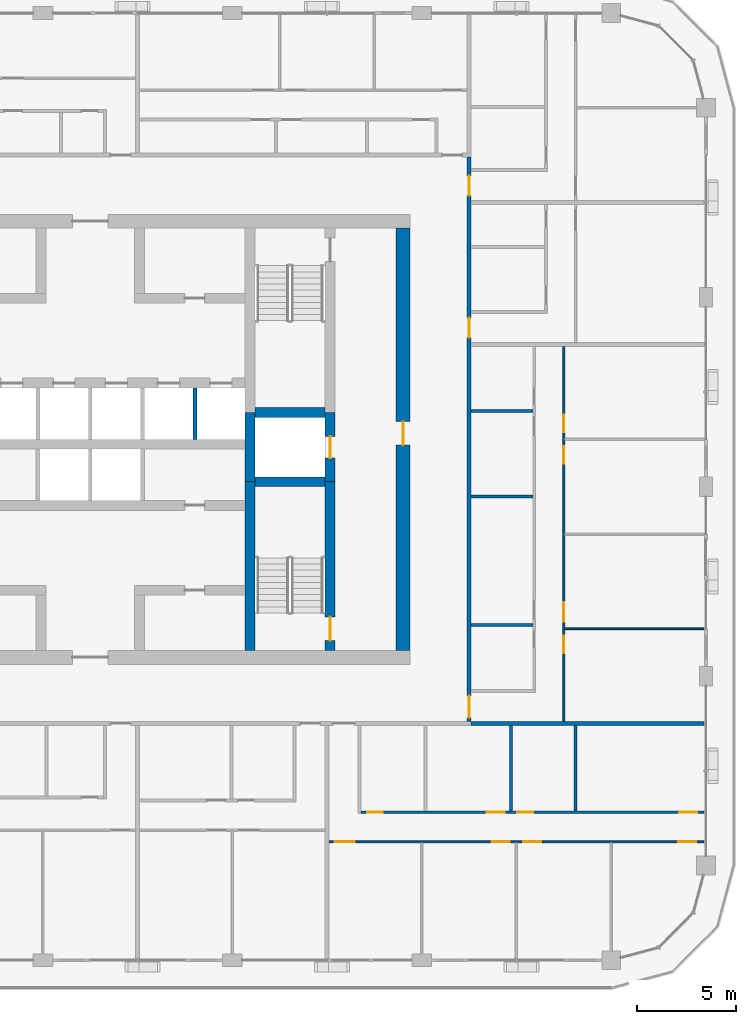
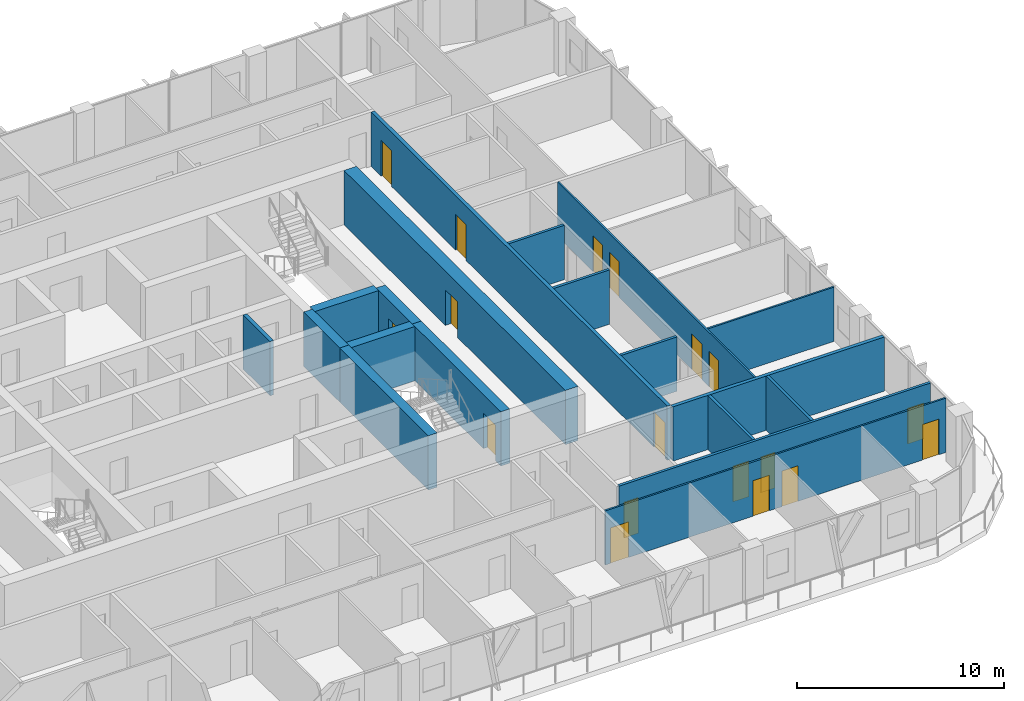
# One storey, part 12 of 21: 19 walls, 18 doors, 18 openings.
"""IFC4 building model written with IfcOpenShell, lengths in metres."""

from ifc_helpers import new_model, si_unit, direction, frame, frame_2d, origin, place, context, subcontext, project, spatial, rectangle, extrude, material, layer, layer_set, type_object, element, fill, save


model = new_model("IFC4")

# Units and contexts
model_context = context("Model", 3, precision=1e-05, world=origin(), true_north=direction((0.0, 1.0)))
body_context = subcontext(model_context, "Body", "Model", "MODEL_VIEW")
ifc_project = project(units=[si_unit("LENGTHUNIT", "METRE"), si_unit("AREAUNIT", "SQUARE_METRE"), si_unit("VOLUMEUNIT", "CUBIC_METRE"), si_unit("PLANEANGLEUNIT", "RADIAN"), si_unit("MASSUNIT", "GRAM", prefix="KILO")], contexts=[model_context])

# Site, building, storey
site_placement = place(None, origin())
site = spatial("IfcSite", under=ifc_project, at=site_placement, CompositionType="ELEMENT")
building_placement = place(site_placement, origin())
building = spatial("IfcBuilding", under=site, at=building_placement, Name="Madar Terraces", CompositionType="ELEMENT")
storey_placement = place(building_placement, frame((0.0, 0.0, 185.89990234375)))
storey = spatial("IfcBuildingStorey", under=building, at=storey_placement, Name="L48", CompositionType="ELEMENT", Elevation=185.89990234375)

# Walls
ifc_material_1 = material(Name="Concrete C60/75", Category="concrete")
ifc_layer_1 = layer(ifc_material_1, 0.5)
ifc_layer_set_1 = layer_set([ifc_layer_1], Name="Concrete C60/75 (CIW4 RC wall 500)")
wall_type_1 = type_object("IfcWallType", Name="CIW4 RC wall 500", PredefinedType="SHEAR", material=ifc_layer_set_1)
wall_1_placement = place(storey_placement, frame((39.300048828125, 15.699951171875, 0.0), z_axis=(0.0, 0.0, 1.0), x_axis=(0.0, 1.0, 0.0)))
element("IfcWall", 1, at=wall_1_placement, inside=storey, type_object=wall_type_1, Name="CORE SHAFT WALL", PredefinedType="SHEAR", context=body_context, shape_type="SweptSolid", body=[
    extrude(rectangle(XDim=8.550048828125, YDim=0.5, at=frame_2d((4.27490234375, 0.0))), origin(), (0.0, 0.0, 1.0), 3.2001953125),
])
wall_2_placement = place(storey_placement, frame((39.300048828125, 24.25, 0.0), z_axis=(0.0, 0.0, 1.0), x_axis=(0.0, 1.0, 0.0)))
element("IfcWall", 2, at=wall_2_placement, inside=storey, type_object=wall_type_1, Name="CORE SHAFT WALL", PredefinedType="SHEAR", context=body_context, shape_type="SweptSolid", body=[
    extrude(rectangle(XDim=3.5, YDim=0.5, at=frame_2d((1.75, 0.0))), origin(), (0.0, 0.0, 1.0), 3.2001953125),
])

# Wall, opening, door
wall_3_placement = place(storey_placement, frame((43.35009765625, 15.699951171875, 0.0), z_axis=(0.0, 0.0, 1.0), x_axis=(0.0, 1.0, 0.0)))
wall_3 = element("IfcWall", 3, at=wall_3_placement, inside=storey, type_object=wall_type_1, Name="CORE SHAFT WALL", PredefinedType="SHEAR", context=body_context, shape_type="SweptSolid", body=[
    extrude(rectangle(XDim=8.550048828125, YDim=0.5, at=frame_2d((4.27490234375, 0.0))), origin(), (0.0, 0.0, 1.0), 3.2001953125),
])
opening_1_placement = place(wall_3_placement, frame((0.5, 0.0, 0.0)))
opening_1 = element("IfcOpeningElement", 4, at=opening_1_placement, cuts=wall_3, Name="Opening SD1", PredefinedType="OPENING", context=body_context, shape_type="SweptSolid", body=[
    extrude(rectangle(XDim=1.199951171875, YDim=2.10009765625, at=frame_2d((0.60009765625, 1.050048828125))), frame((0.0, 0.260009765625, 0.0), z_axis=(0.0, -1.0, 0.0), x_axis=(1.0, 0.0, 0.0)), (0.0, 0.0, 1.0), 0.52001953125),
])
ifc_material_2 = material(Name="Steel door leaf", Category="steel")
door_type_1 = type_object("IfcDoorType", Name="Stair door 1200 x 2100", OperationType="NOTDEFINED", PredefinedType="DOOR", material=ifc_material_2)
door_1_placement = place(opening_1_placement, origin())
door_1 = element("IfcDoor", 5, at=door_1_placement, inside=storey, type_object=door_type_1, Name="STAIR DOOR", OperationType="SINGLE_SWING_LEFT", OverallHeight=2.10009765625, OverallWidth=1.199951171875, PredefinedType="DOOR", context=body_context, shape_type="SweptSolid", body=[
    extrude(rectangle(XDim=1.199951171875, YDim=2.10009765625, at=frame_2d((0.60009765625, 1.050048828125))), frame((0.0, 0.02490234375, 0.0), z_axis=(0.0, -1.0, 0.0), x_axis=(1.0, 0.0, 0.0)), (0.0, 0.0, 1.0), 0.050048828125),
])
fill(opening_1, door_1)

wall_4_placement = place(storey_placement, frame((43.35009765625, 24.25, 0.0), z_axis=(0.0, 0.0, 1.0), x_axis=(0.0, 1.0, 0.0)))
wall_4 = element("IfcWall", 6, at=wall_4_placement, inside=storey, type_object=wall_type_1, Name="CORE SHAFT WALL", PredefinedType="SHEAR", context=body_context, shape_type="SweptSolid", body=[
    extrude(rectangle(XDim=3.5, YDim=0.5, at=frame_2d((1.75, 0.0))), origin(), (0.0, 0.0, 1.0), 3.2001953125),
])
opening_2_placement = place(wall_4_placement, frame((1.199951171875, 0.0, 0.0)))
opening_2 = element("IfcOpeningElement", 7, at=opening_2_placement, cuts=wall_4, Name="Opening LD", PredefinedType="OPENING", context=body_context, shape_type="SweptSolid", body=[
    extrude(rectangle(XDim=1.10009765625, YDim=2.10009765625, at=frame_2d((0.550048828125, 1.050048828125))), frame((0.0, 0.260009765625, 0.0), z_axis=(0.0, -1.0, 0.0), x_axis=(1.0, 0.0, 0.0)), (0.0, 0.0, 1.0), 0.52001953125),
])
ifc_material_3 = material(Name="Stainless steel panel", Category="steel")
door_type_2 = type_object("IfcDoorType", Name="Lift landing door 1100 x 2100", OperationType="DOUBLE_DOOR_SLIDING", PredefinedType="DOOR", material=ifc_material_3)
door_2_placement = place(opening_2_placement, origin())
door_2 = element("IfcDoor", 8, at=door_2_placement, inside=storey, type_object=door_type_2, Name="LIFT LANDING DOOR", OperationType="DOUBLE_DOOR_SLIDING", OverallHeight=2.10009765625, OverallWidth=1.10009765625, PredefinedType="DOOR", context=body_context, shape_type="SweptSolid", body=[
    extrude(rectangle(XDim=1.10009765625, YDim=2.10009765625, at=frame_2d((0.550048828125, 1.050048828125))), frame((0.0, 0.02490234375, 0.0), z_axis=(0.0, -1.0, 0.0), x_axis=(1.0, 0.0, 0.0)), (0.0, 0.0, 1.0), 0.050048828125),
])
fill(opening_2, door_2)

# Walls
for number, where, z_axis, x_axis, name in (
    (9, (39.550048828125, 24.25, 0.0), (0.0, 0.0, 1.0), (1.0, 0.0, 0.0), "CORE SHAFT WALL"),
    (10, (39.550048828125, 27.75, 0.0), (0.0, 0.0, 1.0), (1.0, 0.0, 0.0), "CORE SHAFT WALL"),
):
    element("IfcWall", number, at=place(storey_placement, frame(where, z_axis=z_axis, x_axis=x_axis)), inside=storey, type_object=wall_type_1, Name=name, PredefinedType="SHEAR", context=body_context, shape_type="SweptSolid", body=[
        extrude(rectangle(XDim=3.550048828125, YDim=0.5, at=frame_2d((1.77490234375, 0.0))), origin(), (0.0, 0.0, 1.0), 3.2001953125),
    ])

# Wall, opening, door
ifc_material_4 = material(Name="Concrete C60/75", Category="concrete")
ifc_layer_2 = layer(ifc_material_4, 0.699951171875)
ifc_layer_set_2 = layer_set([ifc_layer_2], Name="Concrete C60/75 (CRW4 RC wall 700)")
wall_type_2 = type_object("IfcWallType", Name="CRW4 RC wall 700", PredefinedType="SHEAR", material=ifc_layer_set_2)
wall_5_placement = place(storey_placement, frame((47.050048828125, 15.699951171875, 0.0), z_axis=(0.0, 0.0, 1.0), x_axis=(0.0, 1.0, 0.0)))
wall_5 = element("IfcWall", 11, at=wall_5_placement, inside=storey, type_object=wall_type_2, Name="CORE OUTER WALL", PredefinedType="SHEAR", context=body_context, shape_type="SweptSolid", body=[
    extrude(rectangle(XDim=21.400146484375, YDim=0.699951171875, at=frame_2d((10.7001953125, 0.0))), origin(), (0.0, 0.0, 1.0), 3.2001953125),
])
opening_3_placement = place(wall_5_placement, frame((10.39990234375, 0.0, 0.0)))
opening_3 = element("IfcOpeningElement", 12, at=opening_3_placement, cuts=wall_5, Name="Opening SD1", PredefinedType="OPENING", context=body_context, shape_type="SweptSolid", body=[
    extrude(rectangle(XDim=1.199951171875, YDim=2.10009765625, at=frame_2d((0.60009765625, 1.050048828125))), frame((0.0, 0.35986328125, 0.0), z_axis=(0.0, -1.0, 0.0), x_axis=(1.0, 0.0, 0.0)), (0.0, 0.0, 1.0), 0.719970703125),
])
door_3_placement = place(opening_3_placement, origin())
door_3 = element("IfcDoor", 13, at=door_3_placement, inside=storey, type_object=door_type_1, Name="STAIR DOOR", OperationType="SINGLE_SWING_RIGHT", OverallHeight=2.10009765625, OverallWidth=1.199951171875, PredefinedType="DOOR", context=body_context, shape_type="SweptSolid", body=[
    extrude(rectangle(XDim=1.199951171875, YDim=2.10009765625, at=frame_2d((0.60009765625, 1.050048828125))), frame((0.0, 0.02490234375, 0.0), z_axis=(0.0, -1.0, 0.0), x_axis=(1.0, 0.0, 0.0)), (0.0, 0.0, 1.0), 0.050048828125),
])
fill(opening_3, door_3)

# Wall
ifc_material_5 = material(Name="Concrete C40/50", Category="concrete")
ifc_layer_3 = layer(ifc_material_5, 0.199951171875)
ifc_layer_set_3 = layer_set([ifc_layer_3], Name="Core shaft dividing wall 200 C40/50")
wall_type_3 = type_object("IfcWallType", Name="Core shaft dividing wall 200 C40/50", PredefinedType="SOLIDWALL", material=ifc_layer_set_3)
wall_6_placement = place(storey_placement, frame((36.5, 26.39990234375, 0.0), z_axis=(0.0, 0.0, 1.0), x_axis=(0.0, 1.0, 0.0)))
element("IfcWall", 14, at=wall_6_placement, inside=storey, type_object=wall_type_3, Name="SHAFT DIVIDING WALL", PredefinedType="SOLIDWALL", context=body_context, shape_type="SweptSolid", body=[
    extrude(rectangle(XDim=2.60009765625, YDim=0.199951171875, at=frame_2d((1.300048828125, 0.0))), origin(), (0.0, 0.0, 1.0), 3.2001953125),
])

# Wall, openings, doors
ifc_material_6 = material(Name="Gypsum board on steel studs", Category="steel")
ifc_layer_4 = layer(ifc_material_6, 0.10009765625)
ifc_layer_set_4 = layer_set([ifc_layer_4], Name="Flat partition 100")
wall_type_4 = type_object("IfcWallType", Name="Flat partition 100", PredefinedType="PARTITIONING", material=ifc_layer_set_4)
wall_7_placement = place(storey_placement, frame((62.300048828125, 6.0, 0.0), z_axis=(0.0, 0.0, 1.0), x_axis=(-1.0, 0.0, 0.0)))
wall_7 = element("IfcWall", 15, at=wall_7_placement, inside=storey, type_object=wall_type_4, Name="Flat partition 100", PredefinedType="PARTITIONING", context=body_context, shape_type="SweptSolid", body=[
    extrude(rectangle(XDim=19.0, YDim=0.10009765625, at=frame_2d((9.5, 0.0))), origin(), (0.0, 0.0, 1.0), 3.2001953125),
])
opening_4_placement = place(wall_7_placement, frame((17.699951171875, 0.0, 0.0)))
opening_4 = element("IfcOpeningElement", 16, at=opening_4_placement, cuts=wall_7, Name="Opening D3", PredefinedType="OPENING", context=body_context, shape_type="SweptSolid", body=[
    extrude(rectangle(XDim=1.0, YDim=2.10009765625, at=frame_2d((0.5, 1.050048828125))), frame((0.0, 0.06005859375, 0.0), z_axis=(0.0, -1.0, 0.0), x_axis=(1.0, 0.0, 0.0)), (0.0, 0.0, 1.0), 0.1201171875),
])
opening_5_placement = place(wall_7_placement, frame((9.85009765625, 0.0, 0.0)))
opening_5 = element("IfcOpeningElement", 17, at=opening_5_placement, cuts=wall_7, Name="Opening D2", PredefinedType="OPENING", context=body_context, shape_type="SweptSolid", body=[
    extrude(rectangle(XDim=0.89990234375, YDim=2.10009765625, at=frame_2d((0.449951171875, 1.050048828125))), frame((0.0, 0.06005859375, 0.0), z_axis=(0.0, -1.0, 0.0), x_axis=(1.0, 0.0, 0.0)), (0.0, 0.0, 1.0), 0.1201171875),
])
opening_6_placement = place(wall_7_placement, frame((8.25, 0.0, 0.0)))
opening_6 = element("IfcOpeningElement", 18, at=opening_6_placement, cuts=wall_7, Name="Opening D2", PredefinedType="OPENING", context=body_context, shape_type="SweptSolid", body=[
    extrude(rectangle(XDim=0.89990234375, YDim=2.10009765625, at=frame_2d((0.449951171875, 1.050048828125))), frame((0.0, 0.06005859375, 0.0), z_axis=(0.0, -1.0, 0.0), x_axis=(1.0, 0.0, 0.0)), (0.0, 0.0, 1.0), 0.1201171875),
])
opening_7_placement = place(wall_7_placement, frame((0.39990234375, 0.0, 0.0)))
opening_7 = element("IfcOpeningElement", 19, at=opening_7_placement, cuts=wall_7, Name="Opening D2", PredefinedType="OPENING", context=body_context, shape_type="SweptSolid", body=[
    extrude(rectangle(XDim=0.89990234375, YDim=2.10009765625, at=frame_2d((0.449951171875, 1.050048828125))), frame((0.0, 0.06005859375, 0.0), z_axis=(0.0, -1.0, 0.0), x_axis=(1.0, 0.0, 0.0)), (0.0, 0.0, 1.0), 0.1201171875),
])
ifc_material_7 = material(Name="Timber door leaf", Category="wood")
door_type_3 = type_object("IfcDoorType", Name="Flat living room door 1000", OperationType="NOTDEFINED", PredefinedType="DOOR", material=ifc_material_7)
door_4_placement = place(opening_4_placement, origin())
door_4 = element("IfcDoor", 20, at=door_4_placement, inside=storey, type_object=door_type_3, Name="Flat living room door 1000", OperationType="SINGLE_SWING_RIGHT", OverallHeight=2.10009765625, OverallWidth=1.0, PredefinedType="DOOR", context=body_context, shape_type="SweptSolid", body=[
    extrude(rectangle(XDim=1.0, YDim=2.10009765625, at=frame_2d((0.5, 1.050048828125))), frame((0.0, 0.02490234375, 0.0), z_axis=(0.0, -1.0, 0.0), x_axis=(1.0, 0.0, 0.0)), (0.0, 0.0, 1.0), 0.050048828125),
])
fill(opening_4, door_4)
ifc_material_8 = material(Name="Timber door leaf", Category="wood")
door_type_4 = type_object("IfcDoorType", Name="Flat room door 900", OperationType="NOTDEFINED", PredefinedType="DOOR", material=ifc_material_8)
door_5_placement = place(opening_5_placement, origin())
door_5 = element("IfcDoor", 21, at=door_5_placement, inside=storey, type_object=door_type_4, Name="Flat room door 900", OperationType="SINGLE_SWING_LEFT", OverallHeight=2.10009765625, OverallWidth=0.89990234375, PredefinedType="DOOR", context=body_context, shape_type="SweptSolid", body=[
    extrude(rectangle(XDim=0.89990234375, YDim=2.10009765625, at=frame_2d((0.449951171875, 1.050048828125))), frame((0.0, 0.02490234375, 0.0), z_axis=(0.0, -1.0, 0.0), x_axis=(1.0, 0.0, 0.0)), (0.0, 0.0, 1.0), 0.050048828125),
])
fill(opening_5, door_5)
door_6_placement = place(opening_6_placement, origin())
door_6 = element("IfcDoor", 22, at=door_6_placement, inside=storey, type_object=door_type_4, Name="Flat room door 900", OperationType="SINGLE_SWING_RIGHT", OverallHeight=2.10009765625, OverallWidth=0.89990234375, PredefinedType="DOOR", context=body_context, shape_type="SweptSolid", body=[
    extrude(rectangle(XDim=0.89990234375, YDim=2.10009765625, at=frame_2d((0.449951171875, 1.050048828125))), frame((0.0, 0.02490234375, 0.0), z_axis=(0.0, -1.0, 0.0), x_axis=(1.0, 0.0, 0.0)), (0.0, 0.0, 1.0), 0.050048828125),
])
fill(opening_6, door_6)
door_7_placement = place(opening_7_placement, origin())
door_7 = element("IfcDoor", 23, at=door_7_placement, inside=storey, type_object=door_type_4, Name="Flat room door 900", OperationType="SINGLE_SWING_LEFT", OverallHeight=2.10009765625, OverallWidth=0.89990234375, PredefinedType="DOOR", context=body_context, shape_type="SweptSolid", body=[
    extrude(rectangle(XDim=0.89990234375, YDim=2.10009765625, at=frame_2d((0.449951171875, 1.050048828125))), frame((0.0, 0.02490234375, 0.0), z_axis=(0.0, -1.0, 0.0), x_axis=(1.0, 0.0, 0.0)), (0.0, 0.0, 1.0), 0.050048828125),
])
fill(opening_7, door_7)

# Wall
wall_8_placement = place(storey_placement, frame((55.25, 16.800048828125, 0.0), z_axis=(0.0, 0.0, 1.0), x_axis=(1.0, 0.0, 0.0)))
element("IfcWall", 24, at=wall_8_placement, inside=storey, type_object=wall_type_4, Name="Flat partition 100", PredefinedType="PARTITIONING", context=body_context, shape_type="SweptSolid", body=[
    extrude(rectangle(XDim=7.050048828125, YDim=0.10009765625, at=frame_2d((3.52490234375, 0.0))), origin(), (0.0, 0.0, 1.0), 3.2001953125),
])

# Wall, openings, doors
wall_9_placement = place(storey_placement, frame((55.199951171875, 31.10009765625, 0.0), z_axis=(0.0, 0.0, 1.0), x_axis=(0.0, -1.0, 0.0)))
wall_9 = element("IfcWall", 25, at=wall_9_placement, inside=storey, type_object=wall_type_4, Name="Flat partition 100", PredefinedType="PARTITIONING", context=body_context, shape_type="SweptSolid", body=[
    extrude(rectangle(XDim=19.0, YDim=0.10009765625, at=frame_2d((9.5, 0.0))), origin(), (0.0, 0.0, 1.0), 3.2001953125),
])
opening_8_placement = place(wall_9_placement, frame((14.64990234375, 0.0, 0.0)))
opening_8 = element("IfcOpeningElement", 26, at=opening_8_placement, cuts=wall_9, Name="Opening D2", PredefinedType="OPENING", context=body_context, shape_type="SweptSolid", body=[
    extrude(rectangle(XDim=0.89990234375, YDim=2.10009765625, at=frame_2d((0.449951171875, 1.050048828125))), frame((0.0, 0.06005859375, 0.0), z_axis=(0.0, -1.0, 0.0), x_axis=(1.0, 0.0, 0.0)), (0.0, 0.0, 1.0), 0.1201171875),
])
opening_9_placement = place(wall_9_placement, frame((12.949951171875, 0.0, 0.0)))
opening_9 = element("IfcOpeningElement", 27, at=opening_9_placement, cuts=wall_9, Name="Opening D3", PredefinedType="OPENING", context=body_context, shape_type="SweptSolid", body=[
    extrude(rectangle(XDim=1.0, YDim=2.10009765625, at=frame_2d((0.5, 1.050048828125))), frame((0.0, 0.06005859375, 0.0), z_axis=(0.0, -1.0, 0.0), x_axis=(1.0, 0.0, 0.0)), (0.0, 0.0, 1.0), 0.1201171875),
])
opening_10_placement = place(wall_9_placement, frame((5.050048828125, 0.0, 0.0)))
opening_10 = element("IfcOpeningElement", 28, at=opening_10_placement, cuts=wall_9, Name="Opening D2", PredefinedType="OPENING", context=body_context, shape_type="SweptSolid", body=[
    extrude(rectangle(XDim=0.89990234375, YDim=2.10009765625, at=frame_2d((0.449951171875, 1.050048828125))), frame((0.0, 0.06005859375, 0.0), z_axis=(0.0, -1.0, 0.0), x_axis=(1.0, 0.0, 0.0)), (0.0, 0.0, 1.0), 0.1201171875),
])
opening_11_placement = place(wall_9_placement, frame((3.449951171875, 0.0, 0.0)))
opening_11 = element("IfcOpeningElement", 29, at=opening_11_placement, cuts=wall_9, Name="Opening D2", PredefinedType="OPENING", context=body_context, shape_type="SweptSolid", body=[
    extrude(rectangle(XDim=0.89990234375, YDim=2.10009765625, at=frame_2d((0.449951171875, 1.050048828125))), frame((0.0, 0.06005859375, 0.0), z_axis=(0.0, -1.0, 0.0), x_axis=(1.0, 0.0, 0.0)), (0.0, 0.0, 1.0), 0.1201171875),
])
door_8_placement = place(opening_9_placement, origin())
door_8 = element("IfcDoor", 30, at=door_8_placement, inside=storey, type_object=door_type_3, Name="Flat living room door 1000", OperationType="SINGLE_SWING_RIGHT", OverallHeight=2.10009765625, OverallWidth=1.0, PredefinedType="DOOR", context=body_context, shape_type="SweptSolid", body=[
    extrude(rectangle(XDim=1.0, YDim=2.10009765625, at=frame_2d((0.5, 1.050048828125))), frame((0.0, 0.02490234375, 0.0), z_axis=(0.0, -1.0, 0.0), x_axis=(1.0, 0.0, 0.0)), (0.0, 0.0, 1.0), 0.050048828125),
])
fill(opening_9, door_8)
door_9_placement = place(opening_8_placement, origin())
door_9 = element("IfcDoor", 31, at=door_9_placement, inside=storey, type_object=door_type_4, Name="Flat room door 900", OperationType="SINGLE_SWING_LEFT", OverallHeight=2.10009765625, OverallWidth=0.89990234375, PredefinedType="DOOR", context=body_context, shape_type="SweptSolid", body=[
    extrude(rectangle(XDim=0.89990234375, YDim=2.10009765625, at=frame_2d((0.449951171875, 1.050048828125))), frame((0.0, 0.02490234375, 0.0), z_axis=(0.0, -1.0, 0.0), x_axis=(1.0, 0.0, 0.0)), (0.0, 0.0, 1.0), 0.050048828125),
])
fill(opening_8, door_9)
door_10_placement = place(opening_10_placement, origin())
door_10 = element("IfcDoor", 32, at=door_10_placement, inside=storey, type_object=door_type_4, Name="Flat room door 900", OperationType="SINGLE_SWING_LEFT", OverallHeight=2.10009765625, OverallWidth=0.89990234375, PredefinedType="DOOR", context=body_context, shape_type="SweptSolid", body=[
    extrude(rectangle(XDim=0.89990234375, YDim=2.10009765625, at=frame_2d((0.449951171875, 1.050048828125))), frame((0.0, 0.02490234375, 0.0), z_axis=(0.0, -1.0, 0.0), x_axis=(1.0, 0.0, 0.0)), (0.0, 0.0, 1.0), 0.050048828125),
])
fill(opening_10, door_10)
door_11_placement = place(opening_11_placement, origin())
door_11 = element("IfcDoor", 33, at=door_11_placement, inside=storey, type_object=door_type_4, Name="Flat room door 900", OperationType="SINGLE_SWING_RIGHT", OverallHeight=2.10009765625, OverallWidth=0.89990234375, PredefinedType="DOOR", context=body_context, shape_type="SweptSolid", body=[
    extrude(rectangle(XDim=0.89990234375, YDim=2.10009765625, at=frame_2d((0.449951171875, 1.050048828125))), frame((0.0, 0.02490234375, 0.0), z_axis=(0.0, -1.0, 0.0), x_axis=(1.0, 0.0, 0.0)), (0.0, 0.0, 1.0), 0.050048828125),
])
fill(opening_11, door_11)

ifc_material_9 = material(Name="Lightweight blockwork", Category="masonry")
ifc_layer_5 = layer(ifc_material_9, 0.199951171875)
ifc_layer_set_5 = layer_set([ifc_layer_5], Name="Flat party and entrance wall 200")
wall_type_5 = type_object("IfcWallType", Name="Flat party and entrance wall 200", PredefinedType="PARTITIONING", material=ifc_layer_set_5)
wall_10_placement = place(storey_placement, frame((50.39990234375, 40.699951171875, 0.0), z_axis=(0.0, 0.0, 1.0), x_axis=(0.0, -1.0, 0.0)))
wall_10 = element("IfcWall", 34, at=wall_10_placement, inside=storey, type_object=wall_type_5, Name="Flat party and entrance wall 200", PredefinedType="PARTITIONING", context=body_context, shape_type="SweptSolid", body=[
    extrude(rectangle(XDim=28.599853515625, YDim=0.199951171875, at=frame_2d((14.2998046875, 0.0))), origin(), (0.0, 0.0, 1.0), 3.2001953125),
])
opening_12_placement = place(wall_10_placement, frame((27.300048828125, 0.0, 0.0)))
opening_12 = element("IfcOpeningElement", 35, at=opening_12_placement, cuts=wall_10, Name="Opening D6", PredefinedType="OPENING", context=body_context, shape_type="SweptSolid", body=[
    extrude(rectangle(XDim=1.10009765625, YDim=2.10009765625, at=frame_2d((0.550048828125, 1.050048828125))), frame((0.0, 0.10986328125, 0.0), z_axis=(0.0, -1.0, 0.0), x_axis=(1.0, 0.0, 0.0)), (0.0, 0.0, 1.0), 0.219970703125),
])
opening_13_placement = place(wall_10_placement, frame((8.14990234375, 0.0, 0.0)))
opening_13 = element("IfcOpeningElement", 36, at=opening_13_placement, cuts=wall_10, Name="Opening D1", PredefinedType="OPENING", context=body_context, shape_type="SweptSolid", body=[
    extrude(rectangle(XDim=1.0, YDim=2.10009765625, at=frame_2d((0.5, 1.050048828125))), frame((0.0, 0.10986328125, 0.0), z_axis=(0.0, -1.0, 0.0), x_axis=(1.0, 0.0, 0.0)), (0.0, 0.0, 1.0), 0.219970703125),
])
opening_14_placement = place(wall_10_placement, frame((0.949951171875, 0.0, 0.0)))
opening_14 = element("IfcOpeningElement", 37, at=opening_14_placement, cuts=wall_10, Name="Opening D1", PredefinedType="OPENING", context=body_context, shape_type="SweptSolid", body=[
    extrude(rectangle(XDim=1.0, YDim=2.10009765625, at=frame_2d((0.5, 1.050048828125))), frame((0.0, 0.10986328125, 0.0), z_axis=(0.0, -1.0, 0.0), x_axis=(1.0, 0.0, 0.0)), (0.0, 0.0, 1.0), 0.219970703125),
])
ifc_material_10 = material(Name="Timber fire door leaf", Category="wood")
door_type_5 = type_object("IfcDoorType", Name="Flat entrance door 1000 FD30S", OperationType="NOTDEFINED", PredefinedType="DOOR", material=ifc_material_10)
door_12_placement = place(opening_13_placement, origin())
door_12 = element("IfcDoor", 38, at=door_12_placement, inside=storey, type_object=door_type_5, Name="Flat entrance door 1000 FD30S", OperationType="SINGLE_SWING_RIGHT", OverallHeight=2.10009765625, OverallWidth=1.0, PredefinedType="DOOR", context=body_context, shape_type="SweptSolid", body=[
    extrude(rectangle(XDim=1.0, YDim=2.10009765625, at=frame_2d((0.5, 1.050048828125))), frame((0.0, 0.02490234375, 0.0), z_axis=(0.0, -1.0, 0.0), x_axis=(1.0, 0.0, 0.0)), (0.0, 0.0, 1.0), 0.050048828125),
])
fill(opening_13, door_12)
door_13_placement = place(opening_14_placement, origin())
door_13 = element("IfcDoor", 39, at=door_13_placement, inside=storey, type_object=door_type_5, Name="Flat entrance door 1000 FD30S", OperationType="SINGLE_SWING_RIGHT", OverallHeight=2.10009765625, OverallWidth=1.0, PredefinedType="DOOR", context=body_context, shape_type="SweptSolid", body=[
    extrude(rectangle(XDim=1.0, YDim=2.10009765625, at=frame_2d((0.5, 1.050048828125))), frame((0.0, 0.02490234375, 0.0), z_axis=(0.0, -1.0, 0.0), x_axis=(1.0, 0.0, 0.0)), (0.0, 0.0, 1.0), 0.050048828125),
])
fill(opening_14, door_13)
ifc_material_11 = material(Name="Timber fire door leaf", Category="wood")
door_type_6 = type_object("IfcDoorType", Name="Flat entrance door 1100 FD30S", OperationType="NOTDEFINED", PredefinedType="DOOR", material=ifc_material_11)
door_14_placement = place(opening_12_placement, origin())
door_14 = element("IfcDoor", 40, at=door_14_placement, inside=storey, type_object=door_type_6, Name="Flat entrance door 1100 FD30S", OperationType="SINGLE_SWING_RIGHT", OverallHeight=2.10009765625, OverallWidth=1.10009765625, PredefinedType="DOOR", context=body_context, shape_type="SweptSolid", body=[
    extrude(rectangle(XDim=1.10009765625, YDim=2.10009765625, at=frame_2d((0.550048828125, 1.050048828125))), frame((0.0, 0.02490234375, 0.0), z_axis=(0.0, -1.0, 0.0), x_axis=(1.0, 0.0, 0.0)), (0.0, 0.0, 1.0), 0.050048828125),
])
fill(opening_12, door_14)

# Walls
wall_11_placement = place(storey_placement, frame((50.5, 12.0, 0.0), z_axis=(0.0, 0.0, 1.0), x_axis=(1.0, 0.0, 0.0)))
element("IfcWall", 41, at=wall_11_placement, inside=storey, type_object=wall_type_5, Name="Flat party and entrance wall 200", PredefinedType="PARTITIONING", context=body_context, shape_type="SweptSolid", body=[
    extrude(rectangle(XDim=11.800048828125, YDim=0.199951171875, at=frame_2d((5.89990234375, 0.0))), origin(), (0.0, 0.0, 1.0), 3.2001953125),
])
ifc_material_12 = material(Name="Lightweight blockwork", Category="masonry")
ifc_layer_6 = layer(ifc_material_12, 0.14990234375)
ifc_layer_set_6 = layer_set([ifc_layer_6], Name="Flat wet-room partition 150")
wall_type_6 = type_object("IfcWallType", Name="Flat wet-room partition 150", PredefinedType="PARTITIONING", material=ifc_layer_set_6)
for number, where, z_axis, x_axis, name in (
    (42, (52.526611328125, 11.89990234375, 0.0), (0.0, 0.0, 1.0), (0.0, -1.0, 0.0), "Flat wet-room partition 150"),
    (43, (55.784423828125, 11.89990234375, 0.0), (0.0, 0.0, 1.0), (0.0, -1.0, 0.0), "Flat wet-room partition 150"),
):
    element("IfcWall", number, at=place(storey_placement, frame(where, z_axis=z_axis, x_axis=x_axis)), inside=storey, type_object=wall_type_6, Name=name, PredefinedType="PARTITIONING", context=body_context, shape_type="SweptSolid", body=[
        extrude(rectangle(XDim=4.324951171875, YDim=0.14990234375, at=frame_2d((2.16259765625, 0.0))), origin(), (0.0, 0.0, 1.0), 3.2001953125),
    ])

# Wall, openings, doors
wall_12_placement = place(storey_placement, frame((44.925048828125, 7.5, 0.0), z_axis=(0.0, 0.0, 1.0), x_axis=(1.0, 0.0, 0.0)))
wall_12 = element("IfcWall", 44, at=wall_12_placement, inside=storey, type_object=wall_type_6, Name="Flat wet-room partition 150", PredefinedType="PARTITIONING", context=body_context, shape_type="SweptSolid", body=[
    extrude(rectangle(XDim=17.375, YDim=0.14990234375, at=frame_2d((8.6875, 0.0))), origin(), (0.0, 0.0, 1.0), 3.2001953125),
])
opening_15_placement = place(wall_12_placement, frame((0.300048828125, 0.0, 0.0)))
opening_15 = element("IfcOpeningElement", 45, at=opening_15_placement, cuts=wall_12, Name="Opening D7", PredefinedType="OPENING", context=body_context, shape_type="SweptSolid", body=[
    extrude(rectangle(XDim=0.800048828125, YDim=2.10009765625, at=frame_2d((0.39990234375, 1.050048828125))), frame((0.0, 0.0849609375, 0.0), z_axis=(0.0, -1.0, 0.0), x_axis=(1.0, 0.0, 0.0)), (0.0, 0.0, 1.0), 0.169921875),
])
opening_16_placement = place(wall_12_placement, frame((6.376708984375, 0.0, 0.0)))
opening_16 = element("IfcOpeningElement", 46, at=opening_16_placement, cuts=wall_12, Name="Opening D5", PredefinedType="OPENING", context=body_context, shape_type="SweptSolid", body=[
    extrude(rectangle(XDim=0.89990234375, YDim=2.10009765625, at=frame_2d((0.449951171875, 1.050048828125))), frame((0.0, 0.0849609375, 0.0), z_axis=(0.0, -1.0, 0.0), x_axis=(1.0, 0.0, 0.0)), (0.0, 0.0, 1.0), 0.169921875),
])
opening_17_placement = place(wall_12_placement, frame((7.926513671875, 0.0, 0.0)))
opening_17 = element("IfcOpeningElement", 47, at=opening_17_placement, cuts=wall_12, Name="Opening D4", PredefinedType="OPENING", context=body_context, shape_type="SweptSolid", body=[
    extrude(rectangle(XDim=0.800048828125, YDim=2.10009765625, at=frame_2d((0.39990234375, 1.050048828125))), frame((0.0, 0.0849609375, 0.0), z_axis=(0.0, -1.0, 0.0), x_axis=(1.0, 0.0, 0.0)), (0.0, 0.0, 1.0), 0.169921875),
])
opening_18_placement = place(wall_12_placement, frame((16.125, 0.0, 0.0)))
opening_18 = element("IfcOpeningElement", 48, at=opening_18_placement, cuts=wall_12, Name="Opening D2", PredefinedType="OPENING", context=body_context, shape_type="SweptSolid", body=[
    extrude(rectangle(XDim=0.89990234375, YDim=2.10009765625, at=frame_2d((0.449951171875, 1.050048828125))), frame((0.0, 0.0849609375, 0.0), z_axis=(0.0, -1.0, 0.0), x_axis=(1.0, 0.0, 0.0)), (0.0, 0.0, 1.0), 0.169921875),
])
ifc_material_13 = material(Name="Timber door leaf", Category="wood")
door_type_7 = type_object("IfcDoorType", Name="Flat accessible bathroom door 900", OperationType="NOTDEFINED", PredefinedType="DOOR", material=ifc_material_13)
door_15_placement = place(opening_16_placement, origin())
door_15 = element("IfcDoor", 49, at=door_15_placement, inside=storey, type_object=door_type_7, Name="Flat accessible bathroom door 900", OperationType="SINGLE_SWING_RIGHT", OverallHeight=2.10009765625, OverallWidth=0.89990234375, PredefinedType="DOOR", context=body_context, shape_type="SweptSolid", body=[
    extrude(rectangle(XDim=0.89990234375, YDim=2.10009765625, at=frame_2d((0.449951171875, 1.050048828125))), frame((0.0, 0.02490234375, 0.0), z_axis=(0.0, -1.0, 0.0), x_axis=(1.0, 0.0, 0.0)), (0.0, 0.0, 1.0), 0.050048828125),
])
fill(opening_16, door_15)
ifc_material_14 = material(Name="Timber door leaf", Category="wood")
door_type_8 = type_object("IfcDoorType", Name="Flat bathroom door 800", OperationType="NOTDEFINED", PredefinedType="DOOR", material=ifc_material_14)
door_16_placement = place(opening_17_placement, origin())
door_16 = element("IfcDoor", 50, at=door_16_placement, inside=storey, type_object=door_type_8, Name="Flat bathroom door 800", OperationType="SINGLE_SWING_LEFT", OverallHeight=2.10009765625, OverallWidth=0.800048828125, PredefinedType="DOOR", context=body_context, shape_type="SweptSolid", body=[
    extrude(rectangle(XDim=0.800048828125, YDim=2.10009765625, at=frame_2d((0.39990234375, 1.050048828125))), frame((0.0, 0.02490234375, 0.0), z_axis=(0.0, -1.0, 0.0), x_axis=(1.0, 0.0, 0.0)), (0.0, 0.0, 1.0), 0.050048828125),
])
fill(opening_17, door_16)
door_17_placement = place(opening_18_placement, origin())
door_17 = element("IfcDoor", 51, at=door_17_placement, inside=storey, type_object=door_type_4, Name="Flat room door 900", OperationType="SINGLE_SWING_RIGHT", OverallHeight=2.10009765625, OverallWidth=0.89990234375, PredefinedType="DOOR", context=body_context, shape_type="SweptSolid", body=[
    extrude(rectangle(XDim=0.89990234375, YDim=2.10009765625, at=frame_2d((0.449951171875, 1.050048828125))), frame((0.0, 0.02490234375, 0.0), z_axis=(0.0, -1.0, 0.0), x_axis=(1.0, 0.0, 0.0)), (0.0, 0.0, 1.0), 0.050048828125),
])
fill(opening_18, door_17)
ifc_material_15 = material(Name="Timber door leaf", Category="wood")
door_type_9 = type_object("IfcDoorType", Name="Flat utility door 800", OperationType="NOTDEFINED", PredefinedType="DOOR", material=ifc_material_15)
door_18_placement = place(opening_15_placement, origin())
door_18 = element("IfcDoor", 52, at=door_18_placement, inside=storey, type_object=door_type_9, Name="Flat utility door 800", OperationType="SINGLE_SWING_LEFT", OverallHeight=2.10009765625, OverallWidth=0.800048828125, PredefinedType="DOOR", context=body_context, shape_type="SweptSolid", body=[
    extrude(rectangle(XDim=0.800048828125, YDim=2.10009765625, at=frame_2d((0.39990234375, 1.050048828125))), frame((0.0, 0.02490234375, 0.0), z_axis=(0.0, -1.0, 0.0), x_axis=(1.0, 0.0, 0.0)), (0.0, 0.0, 1.0), 0.050048828125),
])
fill(opening_15, door_18)

# Walls
for number, where, z_axis, x_axis, name in (
    (53, (50.5, 16.98291015625, 0.0), (0.0, 0.0, 1.0), (1.0, 0.0, 0.0), "Flat wet-room partition 150"),
    (54, (50.5, 23.498291015625, 0.0), (0.0, 0.0, 1.0), (1.0, 0.0, 0.0), "Flat wet-room partition 150"),
    (55, (50.5, 27.84228515625, 0.0), (0.0, 0.0, 1.0), (1.0, 0.0, 0.0), "Flat wet-room partition 150"),
):
    element("IfcWall", number, at=place(storey_placement, frame(where, z_axis=z_axis, x_axis=x_axis)), inside=storey, type_object=wall_type_6, Name=name, PredefinedType="PARTITIONING", context=body_context, shape_type="SweptSolid", body=[
        extrude(rectangle(XDim=3.125, YDim=0.14990234375, at=frame_2d((1.5625, 0.0))), origin(), (0.0, 0.0, 1.0), 3.2001953125),
    ])

save(model, "model.ifc")
